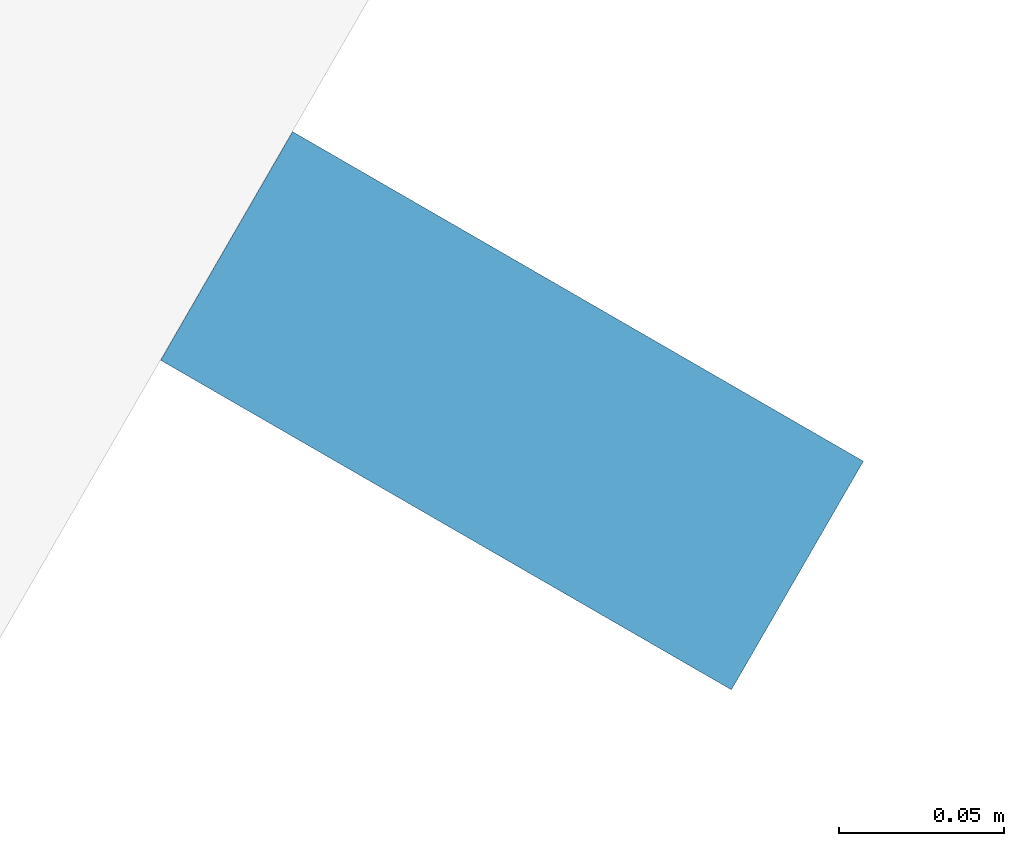
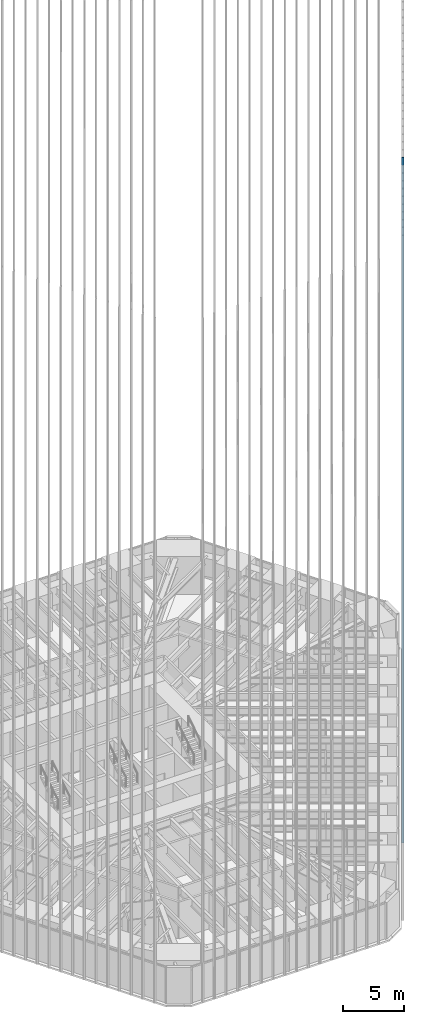
# One storey, part 96 of 256: 1 member, 1 element without a shape of its own.
"""IFC4 building model written with IfcOpenShell, lengths in metres."""

import ifcopenshell
import ifcopenshell.guid

model = None  # the IFC model being written
_history = None  # IfcOwnerHistory: only IFC2X3 demands one
_inside = {}  # id of a spatial element -> (the spatial element, [elements in it])
_under = {}  # id of a project, library or spatial element -> (it, [spatial elements below it])
_declared = {}  # id of a project -> (the project, [libraries it declares])
_typed = {}  # id of a type object -> (the type object, [elements of that type])
_made_of = {}  # id of a material, layer set ... -> (it, [elements and type objects made of it])


def new_model(schema):
    """Start an empty IFC model of exactly this schema.

    Asked for "IFC4X3", IfcOpenShell would pick the latest addendum, in which some entities
    have other attributes; the version numbers below select the first issue.
    IFC2X3 requires an IfcOwnerHistory on every rooted entity: one is made here for all.
    """
    global model, _history
    if schema == "IFC4X3":
        model = ifcopenshell.file(schema_version=(4, 3, 0, 0))
    else:
        model = ifcopenshell.file(schema=schema)
    _inside.clear()
    _under.clear()
    _declared.clear()
    _typed.clear()
    _made_of.clear()
    _history = None
    if model.schema == "IFC2X3":
        org = make("IfcOrganization", Name="unknown")
        user = make(
            "IfcPersonAndOrganization",
            ThePerson=make("IfcPerson", FamilyName="unknown"),
            TheOrganization=org,
        )
        app = make(
            "IfcApplication",
            ApplicationDeveloper=org,
            Version="unknown",
            ApplicationFullName="unknown",
            ApplicationIdentifier="unknown",
        )
        _history = make(
            "IfcOwnerHistory",
            OwningUser=user,
            OwningApplication=app,
            ChangeAction="ADDED",
            CreationDate=0,
        )
    return model


def make(cls, **values):
    """One entity of the class cls with the attributes given. An attribute that is None is left unset."""
    return model.create_entity(
        cls, **{name: value for name, value in values.items() if value is not None}
    )


def rooted(cls, **values):
    """An entity with a GlobalId (a new one), such as an element, a storey or a relation."""
    return make(cls, GlobalId=ifcopenshell.guid.new(), OwnerHistory=_history, **values)


def si_unit(unit_type, name, prefix=None):
    """IfcSIUnit, for example si_unit("LENGTHUNIT", "METRE", prefix="MILLI")."""
    return make("IfcSIUnit", UnitType=unit_type, Prefix=prefix, Name=name)


def assignment(units):
    """IfcUnitAssignment: the units of a project."""
    return None if units is None else make("IfcUnitAssignment", Units=units)


def point(xyz):
    """IfcCartesianPoint."""
    return None if xyz is None else make("IfcCartesianPoint", Coordinates=xyz)


def direction(xyz):
    """IfcDirection."""
    return None if xyz is None else make("IfcDirection", DirectionRatios=xyz)


def frame(location, z_axis=None, x_axis=None):
    """IfcAxis2Placement3D, a coordinate frame: its origin and axes. An axis left out is left unset."""
    return make(
        "IfcAxis2Placement3D",
        Location=point(location),
        Axis=direction(z_axis),
        RefDirection=direction(x_axis),
    )


def frame_2d(location, x_axis=None):
    """IfcAxis2Placement2D, a coordinate frame in the plane: its origin and x axis."""
    return make(
        "IfcAxis2Placement2D", Location=point(location), RefDirection=direction(x_axis)
    )


def origin():
    """The frame at (0, 0, 0) with its axes left unset."""
    return frame((0.0, 0.0, 0.0))


def origin_2d():
    """The frame at (0, 0) in the plane with its x axis left unset."""
    return frame_2d((0.0, 0.0))


def place(relative_to, where):
    """IfcLocalPlacement: puts the frame where relative to a parent placement (None: the world)."""
    return make(
        "IfcLocalPlacement", PlacementRelTo=relative_to, RelativePlacement=where
    )


def context(
    kind, dimensions, precision=None, world=None, true_north=None, identifier=None
):
    """IfcGeometricRepresentationContext, for example the 3D "Model" context."""
    return make(
        "IfcGeometricRepresentationContext",
        ContextIdentifier=identifier,
        ContextType=kind,
        CoordinateSpaceDimension=dimensions,
        Precision=precision,
        WorldCoordinateSystem=world,
        TrueNorth=true_north,
    )


def subcontext(parent, identifier, kind, view, scale=None):
    """IfcGeometricRepresentationSubContext, for example "Body" below "Model"."""
    return make(
        "IfcGeometricRepresentationSubContext",
        ContextIdentifier=identifier,
        ContextType=kind,
        ParentContext=parent,
        TargetScale=scale,
        TargetView=view,
    )


def project(units=None, contexts=None):
    """IfcProject with its units and contexts."""
    return rooted(
        "IfcProject",
        Name="project",
        RepresentationContexts=contexts,
        UnitsInContext=assignment(units),
    )


def spatial(cls, under=None, at=None, **own):
    """A site, building, storey or space (cls), placed at a placement, below another one or the project."""
    s = rooted(cls, ObjectPlacement=at, **own)
    if under is not None:
        _under.setdefault(under.id(), (under, []))[1].append(s)
    return s


def profile(cls, at=None, kind="AREA", **sizes):
    """A parametric profile (cls). Its sizes go by their IFC names, for example OverallWidth=200.0."""
    return make(cls, ProfileType=kind, Position=at, **sizes)


def rectangle(**sizes):
    """IfcRectangleProfileDef."""
    return profile("IfcRectangleProfileDef", **sizes)


def extrude(swept, where, along, depth):
    """IfcExtrudedAreaSolid: the profile swept, set in the frame where, extruded along a direction by depth."""
    return make(
        "IfcExtrudedAreaSolid",
        SweptArea=swept,
        Position=where,
        ExtrudedDirection=direction(along),
        Depth=depth,
    )


def shape(context_of_items, identifier, shape_type, items):
    """IfcShapeRepresentation: the items that make up one representation, for example the "Body"."""
    return make(
        "IfcShapeRepresentation",
        ContextOfItems=context_of_items,
        RepresentationIdentifier=identifier,
        RepresentationType=shape_type,
        Items=items,
    )


def material(Name=None, Category=None):
    """IfcMaterial."""
    return make("IfcMaterial", Name=Name, Category=Category)


def material_profile(
    of_material, cross_section, Name=None, Category=None, Priority=None
):
    """IfcMaterialProfile: a cross section and its material."""
    return make(
        "IfcMaterialProfile",
        Name=Name,
        Material=of_material,
        Profile=cross_section,
        Priority=Priority,
        Category=Category,
    )


def profile_set(profiles, Name=None, composite=None):
    """IfcMaterialProfileSet."""
    return make(
        "IfcMaterialProfileSet",
        Name=Name,
        MaterialProfiles=profiles,
        CompositeProfile=composite,
    )


def made_of(thing, what):
    """Note that an element or type object is made of a material, layer set ...; save() writes the relation."""
    if what is not None:
        _made_of.setdefault(what.id(), (what, []))[1].append(thing)
    return thing


def type_object(cls, material=None, **own):
    """A type object (cls), such as IfcWallType, which elements share."""
    return made_of(rooted(cls, **own), material)


def element(
    cls,
    number,
    at=None,
    inside=None,
    cuts=None,
    type_object=None,
    material=None,
    context=None,
    identifier="Body",
    shape_type=None,
    held_by="IfcProductDefinitionShape",
    body=None,
    shapes=None,
    **own,
):
    """One element of the class cls, such as IfcWall. Its Tag is "e" and its number.

    at: its placement. inside: the storey or other place that contains it. cuts: it is an
    opening in that element (IfcRelVoidsElement). A single representation is given by context,
    identifier, shape_type and body (its items); several are given by shapes. held_by: the class
    of the entity that holds the representations. save() writes the other relations.
    """
    e = rooted(cls, Tag="e%d" % number, ObjectPlacement=at, **own)
    if body is not None:
        shapes = [shape(context, identifier, shape_type, body)]
    if shapes is not None:
        e.Representation = make(held_by, Representations=shapes)
    if inside is not None:
        _inside.setdefault(inside.id(), (inside, []))[1].append(e)
    if cuts is not None:
        rooted(
            "IfcRelVoidsElement", RelatingBuildingElement=cuts, RelatedOpeningElement=e
        )
    if type_object is not None:
        _typed.setdefault(type_object.id(), (type_object, []))[1].append(e)
    return made_of(e, material)


def aggregate(whole, parts):
    """IfcRelAggregates: a whole, such as a stair, and the parts it consists of."""
    return rooted("IfcRelAggregates", RelatingObject=whole, RelatedObjects=parts)


def save(model, path):
    """Write the relations noted so far, then the file.

    IfcRelAggregates (storeys below a building ...), IfcRelContainedInSpatialStructure (elements
    in a storey), IfcRelDefinesByType, IfcRelAssociatesMaterial and IfcRelDeclares: one each for
    every whole, place, type object, material and project.
    """
    for whole, parts in _under.values():
        aggregate(whole, parts)
    for where, things in _inside.values():
        rooted(
            "IfcRelContainedInSpatialStructure",
            RelatedElements=things,
            RelatingStructure=where,
        )
    for kind, things in _typed.values():
        rooted("IfcRelDefinesByType", RelatedObjects=things, RelatingType=kind)
    for what, things in _made_of.values():
        rooted("IfcRelAssociatesMaterial", RelatedObjects=things, RelatingMaterial=what)
    for by, libraries in _declared.values():
        rooted("IfcRelDeclares", RelatingContext=by, RelatedDefinitions=libraries)
    model.write(path)


model = new_model("IFC4")

# Units and contexts
model_context = context("Model", 3, precision=1e-05, world=origin(), true_north=direction((0.0, 1.0)))
body_context = subcontext(model_context, "Body", "Model", "MODEL_VIEW")
ifc_project = project(units=[si_unit("LENGTHUNIT", "METRE"), si_unit("AREAUNIT", "SQUARE_METRE"), si_unit("VOLUMEUNIT", "CUBIC_METRE"), si_unit("PLANEANGLEUNIT", "RADIAN"), si_unit("MASSUNIT", "GRAM", prefix="KILO")], contexts=[model_context])

# Site, building, storey
site_placement = place(None, origin())
site = spatial("IfcSite", under=ifc_project, at=site_placement, CompositionType="ELEMENT")
building_placement = place(site_placement, origin())
building = spatial("IfcBuilding", under=site, at=building_placement, Name="Sandreach Pilgrim Tower", CompositionType="ELEMENT")
storey_placement = place(building_placement, frame((0.0, 0.0, 23.0)))
storey = spatial("IfcBuildingStorey", under=building, at=storey_placement, Name="L04", CompositionType="ELEMENT", Elevation=23.0)

# Curtain wall, member
ifc_material_1 = material(Name="Aluminium framed curtain wall", Category="aluminium")
curtain_wall_type = type_object("IfcCurtainWallType", Name="Hostel tower curtain wall", PredefinedType="NOTDEFINED", material=ifc_material_1)
curtain_wall_placement = place(storey_placement, origin())
curtain_wall = element("IfcCurtainWall", 1, at=curtain_wall_placement, inside=storey, type_object=curtain_wall_type, Name="CW-1 L04 SE", PredefinedType="NOTDEFINED")
ifc_material_2 = material(Name="Extruded terracotta on aluminium core", Category="masonry")
ifc_material_profile = material_profile(ifc_material_2, rectangle(XDim=0.080078125, YDim=0.199951171875, at=origin_2d()), Name="TBE 80X200")
ifc_profile_set = profile_set([ifc_material_profile], Name="Extruded terracotta on aluminium core")
member_type = type_object("IfcMemberType", Name="Terracotta baguette east", PredefinedType="USERDEFINED", material=ifc_profile_set)
member_placement = place(storey_placement, frame((17.216552734375, -18.87744140625, 0.0), z_axis=(0.0, 0.0, 1.0), x_axis=(-0.5, -0.866025403784, 0.0)))
member = element("IfcMember", 2, at=member_placement, type_object=member_type, Name="Baguette Z1 SE25", ObjectType="BAGUETTE", PredefinedType="USERDEFINED", context=body_context, shape_type="SweptSolid", body=[
    extrude(rectangle(XDim=0.080078125, YDim=0.199951171875, at=origin_2d()), origin(), (0.0, 0.0, 1.0), 68.239990234375),
])
aggregate(curtain_wall, [member])

save(model, "model.ifc")
